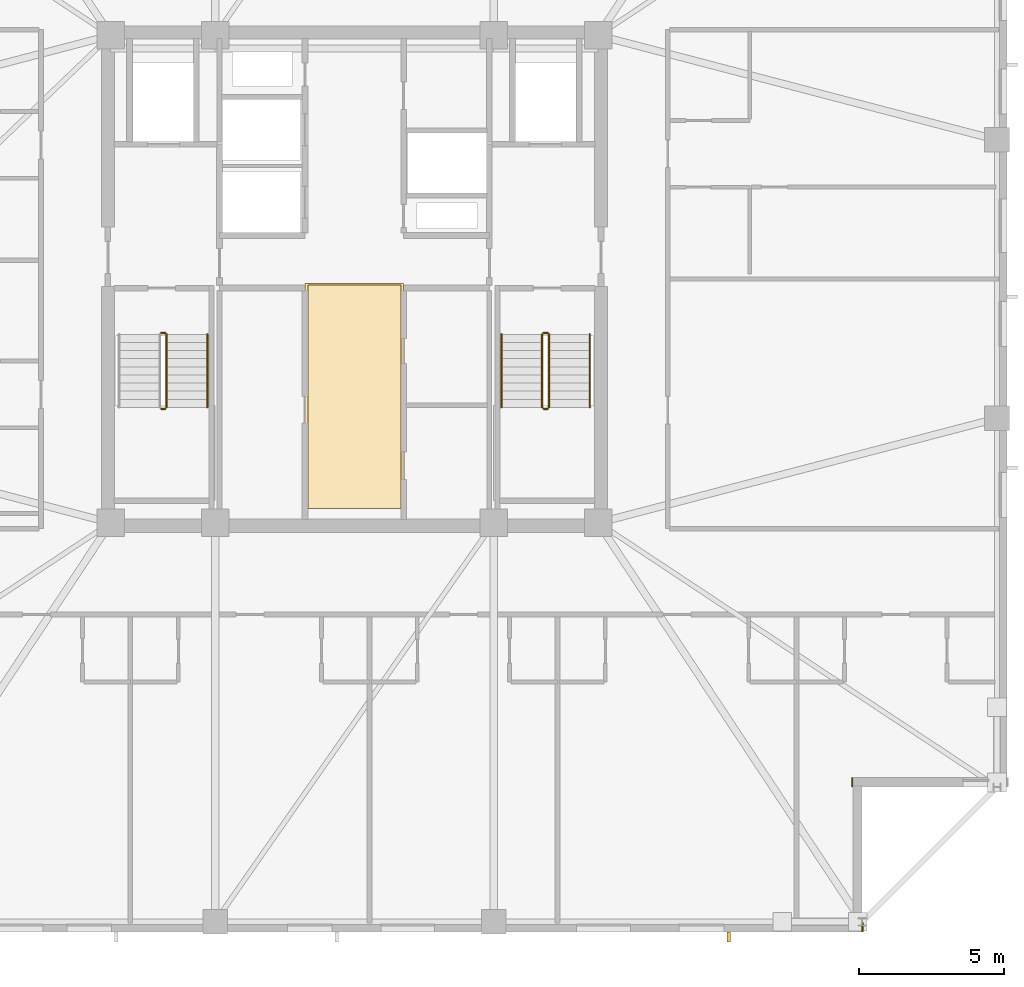
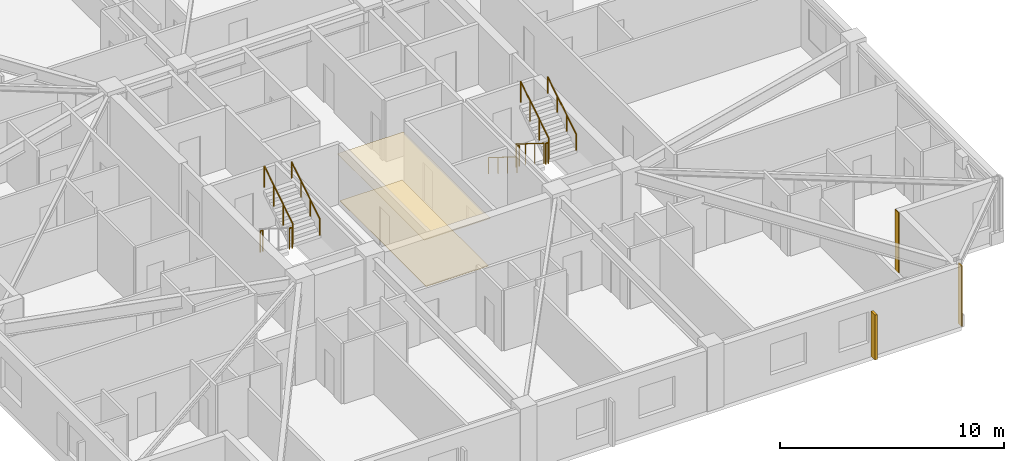
# One storey, part 14 of 17: 10 railings, 4 coverings, 1 shading device.
"""IFC4 building model written with IfcOpenShell, lengths in metres."""

from ifc_helpers import new_model, si_unit, direction, frame, frame_2d, origin, origin_2d, place, context, subcontext, project, spatial, polyline, rectangle, circle, outline, extrude, material, layer, layer_set, type_object, element, save


model = new_model("IFC4")

# Units and contexts
model_context = context("Model", 3, precision=1e-05, world=origin(), true_north=direction((0.0, 1.0)))
body_context = subcontext(model_context, "Body", "Model", "MODEL_VIEW")
ifc_project = project(units=[si_unit("LENGTHUNIT", "METRE"), si_unit("AREAUNIT", "SQUARE_METRE"), si_unit("VOLUMEUNIT", "CUBIC_METRE"), si_unit("PLANEANGLEUNIT", "RADIAN"), si_unit("MASSUNIT", "GRAM", prefix="KILO")], contexts=[model_context])

# Site, building, storey
site_placement = place(None, origin())
site = spatial("IfcSite", under=ifc_project, at=site_placement, CompositionType="ELEMENT")
building_placement = place(site_placement, origin())
building = spatial("IfcBuilding", under=site, at=building_placement, Name="Cairnveth Concourse Tower", CompositionType="ELEMENT")
storey_placement = place(building_placement, frame((0.0, 0.0, 241.0)))
storey = spatial("IfcBuildingStorey", under=building, at=storey_placement, Name="L66", CompositionType="ELEMENT", Elevation=241.0)

# Coverings
ifc_material_1 = material(Name="Acoustic Mineral Fibre Ceiling", Category="gypsum")
ifc_layer_1 = layer(ifc_material_1, 0.02490234375)
ifc_layer_set_1 = layer_set([ifc_layer_1], Name="Acoustic Mineral Fibre Ceiling")
covering_type_1 = type_object("IfcCoveringType", Name="ACOUSTIC MINERAL FIBRE CEILING 25", PredefinedType="CEILING", material=ifc_layer_set_1)
covering_1_placement = place(storey_placement, frame((0.0, 0.0, 2.55810546875)))
element("IfcCovering", 1, at=covering_1_placement, inside=storey, type_object=covering_type_1, Name="Lift Lobby Acoustic Ceiling L66", PredefinedType="CEILING", context=body_context, shape_type="SweptSolid", body=[
    extrude(outline(polyline([(50.300048828125, 31.10009765625), (53.699951171875, 31.10009765625), (53.699951171875, 38.85009765625), (50.300048828125, 38.85009765625), (50.300048828125, 31.10009765625)])), origin(), (0.0, 0.0, 1.0), 0.02490234375),
])
ifc_material_2 = material(Name="Dressed Melbourne Bluestone Cladding", Category="masonry")
ifc_layer_2 = layer(ifc_material_2, 0.050048828125)
ifc_layer_set_2 = layer_set([ifc_layer_2], Name="Dressed Melbourne Bluestone Cladding")
covering_type_2 = type_object("IfcCoveringType", Name="DRESSED BLUESTONE PLINTH CLADDING 50", PredefinedType="CLADDING", material=ifc_layer_set_2)
for number, where, z_axis, x_axis, name in (
    (2, (69.159912109375, 21.820068359375, 0.0), (0.0, 0.0, 1.0), (0.0, -1.0, 0.0), "Melbourne Bluestone Corner Quoin L66-999"),
    (3, (69.52001953125, 16.820068359375, 0.0), (0.0, 0.0, 1.0), (0.0, -1.0, 0.0), "Melbourne Bluestone Corner Quoin L66-1000"),
):
    element("IfcCovering", number, at=place(storey_placement, frame(where, z_axis=z_axis, x_axis=x_axis)), inside=storey, type_object=covering_type_2, Name=name, PredefinedType="CLADDING", context=body_context, shape_type="SweptSolid", body=[
        extrude(rectangle(XDim=0.320068359375, YDim=0.050048828125, at=frame_2d((0.16015625, 0.0))), origin(), (0.0, 0.0, 1.0), 3.2900390625),
    ])

# Shading device
ifc_material_3 = material(Name="Architectural Bronze Anodised Aluminium 6063-T6", Category="aluminium")
shading_device_type = type_object("IfcShadingDeviceType", Name="GOTHIC BRONZE VERTICAL LANCET FIN", PredefinedType="USERDEFINED", material=ifc_material_3)
shading_device_placement = place(storey_placement, frame((64.8974609375, 16.324951171875, 0.030029296875), z_axis=(0.0, 0.0, 1.0), x_axis=(1.0, 0.0, 0.0)))
element("IfcShadingDevice", 4, at=shading_device_placement, inside=storey, type_object=shading_device_type, Name="Gothic Bronze Vertical Fin L66-9-1", ObjectType="VERTICAL FIN", PredefinedType="USERDEFINED", context=body_context, shape_type="SweptSolid", body=[
    extrude(rectangle(XDim=0.1201171875, YDim=0.360107421875, at=origin_2d()), origin(), (0.0, 0.0, 1.0), 2.43798828125),
])

# Railings
ifc_material_4 = material(Name="Steel Grade 350", Category="steel")
railing_type_1 = type_object("IfcRailingType", Name="STAIR GUARDRAIL 1150", PredefinedType="GUARDRAIL", material=ifc_material_4)
railing_1_placement = place(storey_placement, frame((45.340087890625, 34.530029296875, 1.75)))
element("IfcRailing", 5, at=railing_1_placement, inside=storey, type_object=railing_type_1, Name="L66 ST-1 stair guard 2", PredefinedType="GUARDRAIL", context=body_context, shape_type="SweptSolid", body=[
    extrude(circle(Radius=0.02392578125, at=origin_2d()), frame((0.0, 0.0, 1.1259765625), z_axis=(1.0, 0.0, 0.0), x_axis=(0.0, 1.0, 0.0)), (0.0, 0.0, 1.0), 0.139892578125),
    extrude(circle(Radius=0.02099609375, at=origin_2d()), origin(), (0.0, 0.0, 1.0), 1.101806640625),
    extrude(circle(Radius=0.02099609375, at=origin_2d()), frame((0.139892578125, 0.0, 0.0)), (0.0, 0.0, 1.0), 1.101806640625),
])
railing_2_placement = place(storey_placement, frame((45.530029296875, 34.580078125, 1.925048828125)))
element("IfcRailing", 6, at=railing_2_placement, inside=storey, type_object=railing_type_1, Name="L66 ST-1 stair guard 3", PredefinedType="GUARDRAIL", context=body_context, shape_type="SweptSolid", body=[
    extrude(circle(Radius=0.02392578125, at=origin_2d()), frame((0.0, 0.0, 1.1259765625), z_axis=(0.0, 0.848007534815, 0.529984170421), x_axis=(-1.0, 0.0, 0.0)), (0.0, 0.0, 1.0), 2.9716796875),
    extrude(circle(Radius=0.02099609375, at=origin_2d()), origin(), (0.0, 0.0, 1.0), 1.101806640625),
    extrude(circle(Radius=0.02099609375, at=origin_2d()), frame((0.0, 0.840087890625, 0.52490234375)), (0.0, 0.0, 1.0), 1.101806640625),
    extrude(circle(Radius=0.02099609375, at=origin_2d()), frame((0.0, 1.679931640625, 1.050048828125)), (0.0, 0.0, 1.0), 1.101806640625),
    extrude(circle(Radius=0.02099609375, at=origin_2d()), frame((0.0, 2.52001953125, 1.574951171875)), (0.0, 0.0, 1.0), 1.101806640625),
])
railing_3_placement = place(storey_placement, frame((45.340087890625, 37.14990234375, 0.0)))
element("IfcRailing", 7, at=railing_3_placement, inside=storey, type_object=railing_type_1, Name="L66 ST-1 stair guard 4", PredefinedType="GUARDRAIL", context=body_context, shape_type="SweptSolid", body=[
    extrude(circle(Radius=0.02392578125, at=origin_2d()), frame((0.0, 0.0, 1.1259765625), z_axis=(1.0, 0.0, 0.0), x_axis=(0.0, 1.0, 0.0)), (0.0, 0.0, 1.0), 0.139892578125),
    extrude(circle(Radius=0.02099609375, at=origin_2d()), origin(), (0.0, 0.0, 1.0), 1.101806640625),
    extrude(circle(Radius=0.02099609375, at=origin_2d()), frame((0.139892578125, 0.0, 0.0)), (0.0, 0.0, 1.0), 1.101806640625),
])
railing_4_placement = place(storey_placement, frame((58.469970703125, 37.10009765625, 0.175048828125)))
element("IfcRailing", 8, at=railing_4_placement, inside=storey, type_object=railing_type_1, Name="L66 ST-2 stair guard 1", PredefinedType="GUARDRAIL", context=body_context, shape_type="SweptSolid", body=[
    extrude(circle(Radius=0.02392578125, at=origin_2d()), frame((0.0, 0.0, 1.1259765625), z_axis=(0.0, -0.848007534815, 0.529984170421), x_axis=(1.0, 0.0, 0.0)), (0.0, 0.0, 1.0), 2.9716796875),
    extrude(circle(Radius=0.02099609375, at=origin_2d()), origin(), (0.0, 0.0, 1.0), 1.101806640625),
    extrude(circle(Radius=0.02099609375, at=origin_2d()), frame((0.0, -0.840087890625, 0.52490234375)), (0.0, 0.0, 1.0), 1.101806640625),
    extrude(circle(Radius=0.02099609375, at=origin_2d()), frame((0.0, -1.679931640625, 1.050048828125)), (0.0, 0.0, 1.0), 1.101806640625),
    extrude(circle(Radius=0.02099609375, at=origin_2d()), frame((0.0, -2.52001953125, 1.574951171875)), (0.0, 0.0, 1.0), 1.101806640625),
])
railing_5_placement = place(storey_placement, frame((58.52001953125, 34.530029296875, 1.75)))
element("IfcRailing", 9, at=railing_5_placement, inside=storey, type_object=railing_type_1, Name="L66 ST-2 stair guard 2", PredefinedType="GUARDRAIL", context=body_context, shape_type="SweptSolid", body=[
    extrude(circle(Radius=0.02392578125, at=origin_2d()), frame((0.0, 0.0, 1.1259765625), z_axis=(1.0, 0.0, 0.0), x_axis=(0.0, 1.0, 0.0)), (0.0, 0.0, 1.0), 0.139892578125),
    extrude(circle(Radius=0.02099609375, at=origin_2d()), origin(), (0.0, 0.0, 1.0), 1.101806640625),
    extrude(circle(Radius=0.02099609375, at=origin_2d()), frame((0.139892578125, 0.0, 0.0)), (0.0, 0.0, 1.0), 1.101806640625),
])
railing_6_placement = place(storey_placement, frame((58.7099609375, 34.580078125, 1.925048828125)))
element("IfcRailing", 10, at=railing_6_placement, inside=storey, type_object=railing_type_1, Name="L66 ST-2 stair guard 3", PredefinedType="GUARDRAIL", context=body_context, shape_type="SweptSolid", body=[
    extrude(circle(Radius=0.02392578125, at=origin_2d()), frame((0.0, 0.0, 1.1259765625), z_axis=(0.0, 0.848007534815, 0.529984170421), x_axis=(-1.0, 0.0, 0.0)), (0.0, 0.0, 1.0), 2.9716796875),
    extrude(circle(Radius=0.02099609375, at=origin_2d()), origin(), (0.0, 0.0, 1.0), 1.101806640625),
    extrude(circle(Radius=0.02099609375, at=origin_2d()), frame((0.0, 0.840087890625, 0.52490234375)), (0.0, 0.0, 1.0), 1.101806640625),
    extrude(circle(Radius=0.02099609375, at=origin_2d()), frame((0.0, 1.679931640625, 1.050048828125)), (0.0, 0.0, 1.0), 1.101806640625),
    extrude(circle(Radius=0.02099609375, at=origin_2d()), frame((0.0, 2.52001953125, 1.574951171875)), (0.0, 0.0, 1.0), 1.101806640625),
])
railing_7_placement = place(storey_placement, frame((58.52001953125, 37.14990234375, 0.0)))
element("IfcRailing", 11, at=railing_7_placement, inside=storey, type_object=railing_type_1, Name="L66 ST-2 stair guard 4", PredefinedType="GUARDRAIL", context=body_context, shape_type="SweptSolid", body=[
    extrude(circle(Radius=0.02392578125, at=origin_2d()), frame((0.0, 0.0, 1.1259765625), z_axis=(1.0, 0.0, 0.0), x_axis=(0.0, 1.0, 0.0)), (0.0, 0.0, 1.0), 0.139892578125),
    extrude(circle(Radius=0.02099609375, at=origin_2d()), origin(), (0.0, 0.0, 1.0), 1.101806640625),
    extrude(circle(Radius=0.02099609375, at=origin_2d()), frame((0.139892578125, 0.0, 0.0)), (0.0, 0.0, 1.0), 1.101806640625),
])
railing_type_2 = type_object("IfcRailingType", Name="STAIR WALL HANDRAIL 900", PredefinedType="HANDRAIL", material=ifc_material_4)
railing_8_placement = place(storey_placement, frame((46.929931640625, 34.580078125, 1.925048828125)))
element("IfcRailing", 12, at=railing_8_placement, inside=storey, type_object=railing_type_2, Name="L66 ST-1 stair handrail 2", PredefinedType="HANDRAIL", context=body_context, shape_type="SweptSolid", body=[
    extrude(circle(Radius=0.02392578125, at=origin_2d()), frame((0.0, 0.0, 0.8759765625), z_axis=(0.0, 0.848007534815, 0.529984170421), x_axis=(-1.0, 0.0, 0.0)), (0.0, 0.0, 1.0), 2.9716796875),
    extrude(circle(Radius=0.02099609375, at=origin_2d()), origin(), (0.0, 0.0, 1.0), 0.851806640625),
    extrude(circle(Radius=0.02099609375, at=origin_2d()), frame((0.0, 0.840087890625, 0.52490234375)), (0.0, 0.0, 1.0), 0.851806640625),
    extrude(circle(Radius=0.02099609375, at=origin_2d()), frame((0.0, 1.679931640625, 1.050048828125)), (0.0, 0.0, 1.0), 0.851806640625),
    extrude(circle(Radius=0.02099609375, at=origin_2d()), frame((0.0, 2.52001953125, 1.574951171875)), (0.0, 0.0, 1.0), 0.851806640625),
])
railing_9_placement = place(storey_placement, frame((57.070068359375, 37.10009765625, 0.175048828125)))
element("IfcRailing", 13, at=railing_9_placement, inside=storey, type_object=railing_type_2, Name="L66 ST-2 stair handrail 1", PredefinedType="HANDRAIL", context=body_context, shape_type="SweptSolid", body=[
    extrude(circle(Radius=0.02392578125, at=origin_2d()), frame((0.0, 0.0, 0.8759765625), z_axis=(0.0, -0.848007534815, 0.529984170421), x_axis=(1.0, 0.0, 0.0)), (0.0, 0.0, 1.0), 2.9716796875),
    extrude(circle(Radius=0.02099609375, at=origin_2d()), origin(), (0.0, 0.0, 1.0), 0.851806640625),
    extrude(circle(Radius=0.02099609375, at=origin_2d()), frame((0.0, -0.840087890625, 0.52490234375)), (0.0, 0.0, 1.0), 0.851806640625),
    extrude(circle(Radius=0.02099609375, at=origin_2d()), frame((0.0, -1.679931640625, 1.050048828125)), (0.0, 0.0, 1.0), 0.851806640625),
    extrude(circle(Radius=0.02099609375, at=origin_2d()), frame((0.0, -2.52001953125, 1.574951171875)), (0.0, 0.0, 1.0), 0.851806640625),
])
railing_10_placement = place(storey_placement, frame((60.110107421875, 34.580078125, 1.925048828125)))
element("IfcRailing", 14, at=railing_10_placement, inside=storey, type_object=railing_type_2, Name="L66 ST-2 stair handrail 2", PredefinedType="HANDRAIL", context=body_context, shape_type="SweptSolid", body=[
    extrude(circle(Radius=0.02392578125, at=origin_2d()), frame((0.0, 0.0, 0.8759765625), z_axis=(0.0, 0.848007534815, 0.529984170421), x_axis=(-1.0, 0.0, 0.0)), (0.0, 0.0, 1.0), 2.9716796875),
    extrude(circle(Radius=0.02099609375, at=origin_2d()), origin(), (0.0, 0.0, 1.0), 0.851806640625),
    extrude(circle(Radius=0.02099609375, at=origin_2d()), frame((0.0, 0.840087890625, 0.52490234375)), (0.0, 0.0, 1.0), 0.851806640625),
    extrude(circle(Radius=0.02099609375, at=origin_2d()), frame((0.0, 1.679931640625, 1.050048828125)), (0.0, 0.0, 1.0), 0.851806640625),
    extrude(circle(Radius=0.02099609375, at=origin_2d()), frame((0.0, 2.52001953125, 1.574951171875)), (0.0, 0.0, 1.0), 0.851806640625),
])

# Covering
ifc_material_5 = material(Name="Vitrified Stoneware Tile Flooring", Category="masonry")
ifc_layer_3 = layer(ifc_material_5, 0.02001953125)
ifc_layer_set_3 = layer_set([ifc_layer_3], Name="Vitrified Stoneware Tile Flooring")
covering_type_3 = type_object("IfcCoveringType", Name="VITRIFIED STONEWARE LOBBY FLOORING 20", PredefinedType="FLOORING", material=ifc_layer_set_3)
covering_2_placement = place(storey_placement, origin())
element("IfcCovering", 15, at=covering_2_placement, inside=storey, type_object=covering_type_3, Name="Lift Lobby Stoneware Flooring L66", PredefinedType="FLOORING", context=body_context, shape_type="SweptSolid", body=[
    extrude(outline(polyline([(50.39990234375, 31.10009765625), (53.60009765625, 31.10009765625), (53.60009765625, 38.800048828125), (50.39990234375, 38.800048828125), (50.39990234375, 31.10009765625)])), origin(), (0.0, 0.0, 1.0), 0.02001953125),
])

save(model, "model.ifc")
